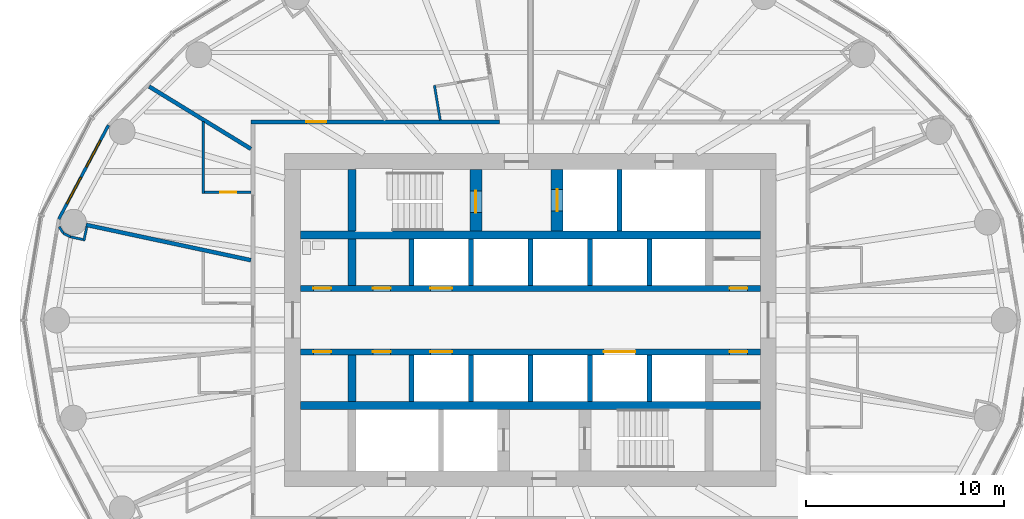
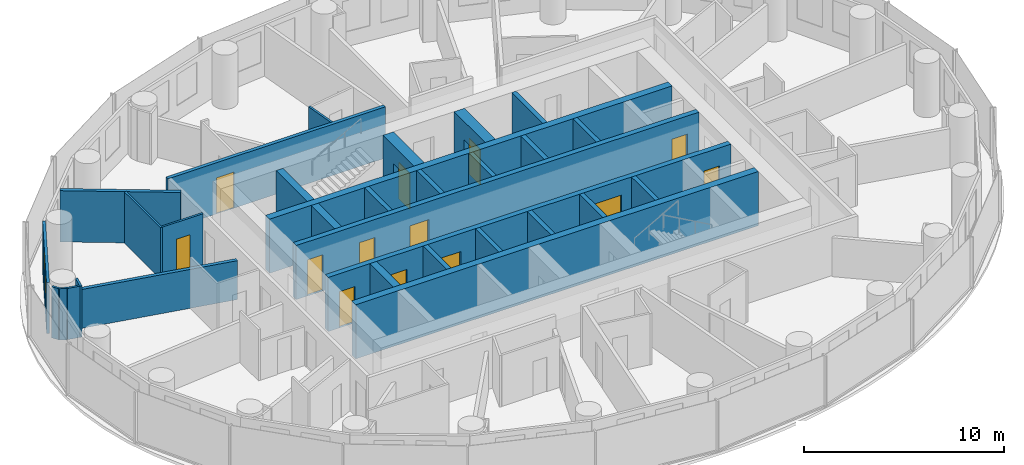
# One storey, part 8 of 14: 31 walls, 13 doors, 2 windows, 15 openings.
"""IFC4 building model written with IfcOpenShell, lengths in metres."""

from ifc_helpers import new_model, si_unit, direction, frame, frame_2d, origin, place, context, subcontext, project, spatial, rectangle, extrude, material, layer, layer_set, type_object, element, fill, save


model = new_model("IFC4")

# Units and contexts
model_context = context("Model", 3, precision=1e-05, world=origin(), true_north=direction((0.0, 1.0)))
body_context = subcontext(model_context, "Body", "Model", "MODEL_VIEW")
ifc_project = project(units=[si_unit("LENGTHUNIT", "METRE"), si_unit("AREAUNIT", "SQUARE_METRE"), si_unit("VOLUMEUNIT", "CUBIC_METRE"), si_unit("PLANEANGLEUNIT", "RADIAN"), si_unit("MASSUNIT", "GRAM", prefix="KILO")], contexts=[model_context])

# Site, building, storey
site_placement = place(None, origin())
site = spatial("IfcSite", under=ifc_project, at=site_placement, CompositionType="ELEMENT")
building_placement = place(site_placement, origin())
building = spatial("IfcBuilding", under=site, at=building_placement, Name="Hankou Lantern Tower", CompositionType="ELEMENT")
storey_placement = place(building_placement, frame((0.0, 0.0, 115.5)))
storey = spatial("IfcBuildingStorey", under=building, at=storey_placement, Name="L29", CompositionType="ELEMENT", Elevation=115.5)

# Walls
ifc_material_1 = material(Name="Concrete C60", Category="concrete")
ifc_layer_1 = layer(ifc_material_1, 0.39990234375)
ifc_layer_set_1 = layer_set([ifc_layer_1], Name="Concrete C60")
wall_type_1 = type_object("IfcWallType", Name="CW4 CORE CROSS WALL 400", PredefinedType="SHEAR", material=ifc_layer_set_1)
for number, where, z_axis, x_axis, name in (
    (1, (-11.60009765625, 4.300048828125, 0.0), (0.0, 0.0, 1.0), (1.0, 0.0, 0.0), "Core band wall north L29"),
    (2, (-11.60009765625, -4.300048828125, 0.0), (0.0, 0.0, 1.0), (1.0, 0.0, 0.0), "Core band wall south L29"),
):
    element("IfcWall", number, at=place(storey_placement, frame(where, z_axis=z_axis, x_axis=x_axis)), inside=storey, type_object=wall_type_1, Name=name, PredefinedType="SHEAR", context=body_context, shape_type="SweptSolid", body=[
        extrude(rectangle(XDim=23.2001953125, YDim=0.39990234375, at=frame_2d((11.60009765625, 0.0))), origin(), (0.0, 0.0, 1.0), 3.300048828125),
    ])
wall_1_placement = place(storey_placement, frame((-9.0, 4.5, 0.0), z_axis=(0.0, 0.0, 1.0), x_axis=(0.0, 1.0, 0.0)))
element("IfcWall", 3, at=wall_1_placement, inside=storey, type_object=wall_type_1, Name="Core strip wall L29", PredefinedType="SHEAR", context=body_context, shape_type="SweptSolid", body=[
    extrude(rectangle(XDim=3.10009765625, YDim=0.39990234375, at=frame_2d((1.550048828125, 0.0))), origin(), (0.0, 0.0, 1.0), 3.300048828125),
])
for number, where, z_axis, x_axis, name in (
    (4, (-9.0, 1.75, 0.0), (0.0, 0.0, 1.0), (0.0, 1.0, 0.0), "Core strip wall L29"),
    (5, (-9.0, -4.10009765625, 0.0), (0.0, 0.0, 1.0), (0.0, 1.0, 0.0), "Core strip wall L29"),
):
    element("IfcWall", number, at=place(storey_placement, frame(where, z_axis=z_axis, x_axis=x_axis)), inside=storey, type_object=wall_type_1, Name=name, PredefinedType="SHEAR", context=body_context, shape_type="SweptSolid", body=[
        extrude(rectangle(XDim=2.35009765625, YDim=0.39990234375, at=frame_2d((1.175048828125, 0.0))), origin(), (0.0, 0.0, 1.0), 3.300048828125),
    ])

# Wall, openings, doors
ifc_material_2 = material(Name="Concrete C60", Category="concrete")
ifc_layer_2 = layer(ifc_material_2, 0.300048828125)
ifc_layer_set_2 = layer_set([ifc_layer_2], Name="Concrete C60")
wall_type_2 = type_object("IfcWallType", Name="CW5 LIFT LOBBY WALL 300", PredefinedType="SHEAR", material=ifc_layer_set_2)
wall_2_placement = place(storey_placement, frame((-11.60009765625, 1.60009765625, 0.0), z_axis=(0.0, 0.0, 1.0), x_axis=(1.0, 0.0, 0.0)))
wall_2 = element("IfcWall", 6, at=wall_2_placement, inside=storey, type_object=wall_type_2, Name="Lift lobby wall north L29", PredefinedType="SHEAR", context=body_context, shape_type="SweptSolid", body=[
    extrude(rectangle(XDim=23.2001953125, YDim=0.300048828125, at=frame_2d((11.60009765625, 0.0))), origin(), (0.0, 0.0, 1.0), 3.300048828125),
])
opening_1_placement = place(wall_2_placement, frame((6.550048828125, 0.0, 0.0)))
opening_1 = element("IfcOpeningElement", 7, at=opening_1_placement, cuts=wall_2, Name="Opening LD1", PredefinedType="OPENING", context=body_context, shape_type="SweptSolid", body=[
    extrude(rectangle(XDim=1.10009765625, YDim=2.199951171875, at=frame_2d((0.550048828125, 1.10009765625))), frame((0.0, 0.159912109375, 0.0), z_axis=(0.0, -1.0, 0.0), x_axis=(1.0, 0.0, 0.0)), (0.0, 0.0, 1.0), 0.320068359375),
])
opening_2_placement = place(wall_2_placement, frame((0.64990234375, 0.0, 0.0)))
opening_2 = element("IfcOpeningElement", 8, at=opening_2_placement, cuts=wall_2, Name="Opening D30", PredefinedType="OPENING", context=body_context, shape_type="SweptSolid", body=[
    extrude(rectangle(XDim=0.89990234375, YDim=2.199951171875, at=frame_2d((0.449951171875, 1.10009765625))), frame((0.0, 0.159912109375, 0.0), z_axis=(0.0, -1.0, 0.0), x_axis=(1.0, 0.0, 0.0)), (0.0, 0.0, 1.0), 0.320068359375),
])
opening_3_placement = place(wall_2_placement, frame((3.64990234375, 0.0, 0.0)))
opening_3 = element("IfcOpeningElement", 9, at=opening_3_placement, cuts=wall_2, Name="Opening D30", PredefinedType="OPENING", context=body_context, shape_type="SweptSolid", body=[
    extrude(rectangle(XDim=0.89990234375, YDim=2.199951171875, at=frame_2d((0.449951171875, 1.10009765625))), frame((0.0, 0.159912109375, 0.0), z_axis=(0.0, -1.0, 0.0), x_axis=(1.0, 0.0, 0.0)), (0.0, 0.0, 1.0), 0.320068359375),
])
opening_4_placement = place(wall_2_placement, frame((21.64990234375, 0.0, 0.0)))
opening_4 = element("IfcOpeningElement", 10, at=opening_4_placement, cuts=wall_2, Name="Opening D30", PredefinedType="OPENING", context=body_context, shape_type="SweptSolid", body=[
    extrude(rectangle(XDim=0.89990234375, YDim=2.199951171875, at=frame_2d((0.449951171875, 1.10009765625))), frame((0.0, 0.159912109375, 0.0), z_axis=(0.0, -1.0, 0.0), x_axis=(1.0, 0.0, 0.0)), (0.0, 0.0, 1.0), 0.320068359375),
])
ifc_material_3 = material(Name="Steel door leaf", Category="steel")
door_type_1 = type_object("IfcDoorType", Name="D30 CORE ROOM DOOR 900X2200", OperationType="SINGLE_SWING_LEFT", PredefinedType="DOOR", material=ifc_material_3)
door_1_placement = place(opening_2_placement, origin())
door_1 = element("IfcDoor", 11, at=door_1_placement, inside=storey, type_object=door_type_1, Name="Accessible staff WC door", OperationType="SINGLE_SWING_LEFT", OverallHeight=2.199951171875, OverallWidth=0.89990234375, PredefinedType="DOOR", context=body_context, shape_type="SweptSolid", body=[
    extrude(rectangle(XDim=0.89990234375, YDim=2.199951171875, at=frame_2d((0.449951171875, 1.10009765625))), frame((0.0, 0.02490234375, 0.0), z_axis=(0.0, -1.0, 0.0), x_axis=(1.0, 0.0, 0.0)), (0.0, 0.0, 1.0), 0.050048828125),
])
fill(opening_2, door_1)
door_2_placement = place(opening_3_placement, origin())
door_2 = element("IfcDoor", 12, at=door_2_placement, inside=storey, type_object=door_type_1, Name="Staff locker room door", OperationType="SINGLE_SWING_LEFT", OverallHeight=2.199951171875, OverallWidth=0.89990234375, PredefinedType="DOOR", context=body_context, shape_type="SweptSolid", body=[
    extrude(rectangle(XDim=0.89990234375, YDim=2.199951171875, at=frame_2d((0.449951171875, 1.10009765625))), frame((0.0, 0.02490234375, 0.0), z_axis=(0.0, -1.0, 0.0), x_axis=(1.0, 0.0, 0.0)), (0.0, 0.0, 1.0), 0.050048828125),
])
fill(opening_3, door_2)
door_3_placement = place(opening_4_placement, origin())
door_3 = element("IfcDoor", 13, at=door_3_placement, inside=storey, type_object=door_type_1, Name="IT and telecoms room door", OperationType="SINGLE_SWING_RIGHT", OverallHeight=2.199951171875, OverallWidth=0.89990234375, PredefinedType="DOOR", context=body_context, shape_type="SweptSolid", body=[
    extrude(rectangle(XDim=0.89990234375, YDim=2.199951171875, at=frame_2d((0.449951171875, 1.10009765625))), frame((0.0, 0.02490234375, 0.0), z_axis=(0.0, -1.0, 0.0), x_axis=(1.0, 0.0, 0.0)), (0.0, 0.0, 1.0), 0.050048828125),
])
fill(opening_4, door_3)
ifc_material_4 = material(Name="Steel door leaf", Category="steel")
door_type_2 = type_object("IfcDoorType", Name="LD1 LIFT LANDING DOOR 1100X2200", OperationType="DOUBLE_DOOR_SLIDING", PredefinedType="DOOR", material=ifc_material_4)
door_4_placement = place(opening_1_placement, origin())
door_4 = element("IfcDoor", 14, at=door_4_placement, inside=storey, type_object=door_type_2, Name="Lift M1 landing door", OperationType="DOUBLE_DOOR_SLIDING", OverallHeight=2.199951171875, OverallWidth=1.10009765625, PredefinedType="DOOR", context=body_context, shape_type="SweptSolid", body=[
    extrude(rectangle(XDim=1.10009765625, YDim=2.199951171875, at=frame_2d((0.550048828125, 1.10009765625))), frame((0.0, 0.02490234375, 0.0), z_axis=(0.0, -1.0, 0.0), x_axis=(1.0, 0.0, 0.0)), (0.0, 0.0, 1.0), 0.050048828125),
])
fill(opening_1, door_4)

wall_3_placement = place(storey_placement, frame((-11.60009765625, -1.60009765625, 0.0), z_axis=(0.0, 0.0, 1.0), x_axis=(1.0, 0.0, 0.0)))
wall_3 = element("IfcWall", 15, at=wall_3_placement, inside=storey, type_object=wall_type_2, Name="Lift lobby wall south L29", PredefinedType="SHEAR", context=body_context, shape_type="SweptSolid", body=[
    extrude(rectangle(XDim=23.2001953125, YDim=0.300048828125, at=frame_2d((11.60009765625, 0.0))), origin(), (0.0, 0.0, 1.0), 3.300048828125),
])
opening_5_placement = place(wall_3_placement, frame((6.550048828125, 0.0, 0.0)))
opening_5 = element("IfcOpeningElement", 16, at=opening_5_placement, cuts=wall_3, Name="Opening LD1", PredefinedType="OPENING", context=body_context, shape_type="SweptSolid", body=[
    extrude(rectangle(XDim=1.10009765625, YDim=2.199951171875, at=frame_2d((0.550048828125, 1.10009765625))), frame((0.0, 0.159912109375, 0.0), z_axis=(0.0, -1.0, 0.0), x_axis=(1.0, 0.0, 0.0)), (0.0, 0.0, 1.0), 0.320068359375),
])
opening_6_placement = place(wall_3_placement, frame((15.300048828125, 0.0, 0.0)))
opening_6 = element("IfcOpeningElement", 17, at=opening_6_placement, cuts=wall_3, Name="Opening LD4", PredefinedType="OPENING", context=body_context, shape_type="SweptSolid", body=[
    extrude(rectangle(XDim=1.60009765625, YDim=2.39990234375, at=frame_2d((0.800048828125, 1.199951171875))), frame((0.0, 0.159912109375, 0.0), z_axis=(0.0, -1.0, 0.0), x_axis=(1.0, 0.0, 0.0)), (0.0, 0.0, 1.0), 0.320068359375),
])
opening_7_placement = place(wall_3_placement, frame((0.64990234375, 0.0, 0.0)))
opening_7 = element("IfcOpeningElement", 18, at=opening_7_placement, cuts=wall_3, Name="Opening D30", PredefinedType="OPENING", context=body_context, shape_type="SweptSolid", body=[
    extrude(rectangle(XDim=0.89990234375, YDim=2.199951171875, at=frame_2d((0.449951171875, 1.10009765625))), frame((0.0, 0.159912109375, 0.0), z_axis=(0.0, -1.0, 0.0), x_axis=(1.0, 0.0, 0.0)), (0.0, 0.0, 1.0), 0.320068359375),
])
opening_8_placement = place(wall_3_placement, frame((3.64990234375, 0.0, 0.0)))
opening_8 = element("IfcOpeningElement", 19, at=opening_8_placement, cuts=wall_3, Name="Opening D30", PredefinedType="OPENING", context=body_context, shape_type="SweptSolid", body=[
    extrude(rectangle(XDim=0.89990234375, YDim=2.199951171875, at=frame_2d((0.449951171875, 1.10009765625))), frame((0.0, 0.159912109375, 0.0), z_axis=(0.0, -1.0, 0.0), x_axis=(1.0, 0.0, 0.0)), (0.0, 0.0, 1.0), 0.320068359375),
])
opening_9_placement = place(wall_3_placement, frame((21.64990234375, 0.0, 0.0)))
opening_9 = element("IfcOpeningElement", 20, at=opening_9_placement, cuts=wall_3, Name="Opening D30", PredefinedType="OPENING", context=body_context, shape_type="SweptSolid", body=[
    extrude(rectangle(XDim=0.89990234375, YDim=2.199951171875, at=frame_2d((0.449951171875, 1.10009765625))), frame((0.0, 0.159912109375, 0.0), z_axis=(0.0, -1.0, 0.0), x_axis=(1.0, 0.0, 0.0)), (0.0, 0.0, 1.0), 0.320068359375),
])
door_5_placement = place(opening_7_placement, origin())
door_5 = element("IfcDoor", 21, at=door_5_placement, inside=storey, type_object=door_type_1, Name="Engineering store door", OperationType="SINGLE_SWING_LEFT", OverallHeight=2.199951171875, OverallWidth=0.89990234375, PredefinedType="DOOR", context=body_context, shape_type="SweptSolid", body=[
    extrude(rectangle(XDim=0.89990234375, YDim=2.199951171875, at=frame_2d((0.449951171875, 1.10009765625))), frame((0.0, 0.02490234375, 0.0), z_axis=(0.0, -1.0, 0.0), x_axis=(1.0, 0.0, 0.0)), (0.0, 0.0, 1.0), 0.050048828125),
])
fill(opening_7, door_5)
door_6_placement = place(opening_8_placement, origin())
door_6 = element("IfcDoor", 22, at=door_6_placement, inside=storey, type_object=door_type_1, Name="Housekeeping and linen store door", OperationType="SINGLE_SWING_LEFT", OverallHeight=2.199951171875, OverallWidth=0.89990234375, PredefinedType="DOOR", context=body_context, shape_type="SweptSolid", body=[
    extrude(rectangle(XDim=0.89990234375, YDim=2.199951171875, at=frame_2d((0.449951171875, 1.10009765625))), frame((0.0, 0.02490234375, 0.0), z_axis=(0.0, -1.0, 0.0), x_axis=(1.0, 0.0, 0.0)), (0.0, 0.0, 1.0), 0.050048828125),
])
fill(opening_8, door_6)
door_7_placement = place(opening_9_placement, origin())
door_7 = element("IfcDoor", 23, at=door_7_placement, inside=storey, type_object=door_type_1, Name="Minibar store door", OperationType="SINGLE_SWING_RIGHT", OverallHeight=2.199951171875, OverallWidth=0.89990234375, PredefinedType="DOOR", context=body_context, shape_type="SweptSolid", body=[
    extrude(rectangle(XDim=0.89990234375, YDim=2.199951171875, at=frame_2d((0.449951171875, 1.10009765625))), frame((0.0, 0.02490234375, 0.0), z_axis=(0.0, -1.0, 0.0), x_axis=(1.0, 0.0, 0.0)), (0.0, 0.0, 1.0), 0.050048828125),
])
fill(opening_9, door_7)
door_8_placement = place(opening_5_placement, origin())
door_8 = element("IfcDoor", 24, at=door_8_placement, inside=storey, type_object=door_type_2, Name="Lift M2 landing door", OperationType="DOUBLE_DOOR_SLIDING", OverallHeight=2.199951171875, OverallWidth=1.10009765625, PredefinedType="DOOR", context=body_context, shape_type="SweptSolid", body=[
    extrude(rectangle(XDim=1.10009765625, YDim=2.199951171875, at=frame_2d((0.550048828125, 1.10009765625))), frame((0.0, 0.02490234375, 0.0), z_axis=(0.0, -1.0, 0.0), x_axis=(1.0, 0.0, 0.0)), (0.0, 0.0, 1.0), 0.050048828125),
])
fill(opening_5, door_8)
ifc_material_5 = material(Name="Steel door leaf", Category="steel")
door_type_3 = type_object("IfcDoorType", Name="LD4 SERVICE LIFT LANDING DOOR 1600X2400", OperationType="DOUBLE_DOOR_SLIDING", PredefinedType="DOOR", material=ifc_material_5)
door_9_placement = place(opening_6_placement, origin())
door_9 = element("IfcDoor", 25, at=door_9_placement, inside=storey, type_object=door_type_3, Name="Lift SV1 landing door", OperationType="DOUBLE_DOOR_SLIDING", OverallHeight=2.39990234375, OverallWidth=1.60009765625, PredefinedType="DOOR", context=body_context, shape_type="SweptSolid", body=[
    extrude(rectangle(XDim=1.60009765625, YDim=2.39990234375, at=frame_2d((0.800048828125, 1.199951171875))), frame((0.0, 0.02490234375, 0.0), z_axis=(0.0, -1.0, 0.0), x_axis=(1.0, 0.0, 0.0)), (0.0, 0.0, 1.0), 0.050048828125),
])
fill(opening_6, door_9)

# Wall, opening, door
ifc_material_6 = material(Name="Concrete C60", Category="concrete")
ifc_layer_3 = layer(ifc_material_6, 0.60009765625)
ifc_layer_set_3 = layer_set([ifc_layer_3], Name="Concrete C60")
wall_type_3 = type_object("IfcWallType", Name="CW6 STAIR AND SHAFT WALL 600", PredefinedType="SHEAR", material=ifc_layer_set_3)
wall_4_placement = place(storey_placement, frame((-2.75, 4.5, 0.0), z_axis=(0.0, 0.0, 1.0), x_axis=(0.0, 1.0, 0.0)))
wall_4 = element("IfcWall", 26, at=wall_4_placement, inside=storey, type_object=wall_type_3, Name="Stair wall L29", PredefinedType="SHEAR", context=body_context, shape_type="SweptSolid", body=[
    extrude(rectangle(XDim=3.10009765625, YDim=0.60009765625, at=frame_2d((1.550048828125, 0.0))), origin(), (0.0, 0.0, 1.0), 3.300048828125),
])
opening_10_placement = place(wall_4_placement, frame((0.925048828125, 0.0, 0.0)))
opening_10 = element("IfcOpeningElement", 27, at=opening_10_placement, cuts=wall_4, Name="Opening D4", PredefinedType="OPENING", context=body_context, shape_type="SweptSolid", body=[
    extrude(rectangle(XDim=1.10009765625, YDim=2.199951171875, at=frame_2d((0.550048828125, 1.10009765625))), frame((0.0, 0.31005859375, 0.0), z_axis=(0.0, -1.0, 0.0), x_axis=(1.0, 0.0, 0.0)), (0.0, 0.0, 1.0), 0.6201171875),
])
ifc_material_7 = material(Name="Steel door leaf", Category="steel")
door_type_4 = type_object("IfcDoorType", Name="D4 STAIR DOOR 1100X2200", OperationType="SINGLE_SWING_LEFT", PredefinedType="DOOR", material=ifc_material_7)
door_10_placement = place(opening_10_placement, origin())
door_10 = element("IfcDoor", 28, at=door_10_placement, inside=storey, type_object=door_type_4, Name="Stair A door", OperationType="SINGLE_SWING_LEFT", OverallHeight=2.199951171875, OverallWidth=1.10009765625, PredefinedType="DOOR", context=body_context, shape_type="SweptSolid", body=[
    extrude(rectangle(XDim=1.10009765625, YDim=2.199951171875, at=frame_2d((0.550048828125, 1.10009765625))), frame((0.0, 0.02490234375, 0.0), z_axis=(0.0, -1.0, 0.0), x_axis=(1.0, 0.0, 0.0)), (0.0, 0.0, 1.0), 0.050048828125),
])
fill(opening_10, door_10)

wall_5_placement = place(storey_placement, frame((1.35009765625, 4.5, 0.0), z_axis=(0.0, 0.0, 1.0), x_axis=(0.0, 1.0, 0.0)))
wall_5 = element("IfcWall", 29, at=wall_5_placement, inside=storey, type_object=wall_type_3, Name="Firefighting lift shaft wall L29", PredefinedType="SHEAR", context=body_context, shape_type="SweptSolid", body=[
    extrude(rectangle(XDim=3.10009765625, YDim=0.60009765625, at=frame_2d((1.550048828125, 0.0))), origin(), (0.0, 0.0, 1.0), 3.300048828125),
])
opening_11_placement = place(wall_5_placement, frame((1.0, 0.0, 0.0)))
opening_11 = element("IfcOpeningElement", 30, at=opening_11_placement, cuts=wall_5, Name="Opening LD2", PredefinedType="OPENING", context=body_context, shape_type="SweptSolid", body=[
    extrude(rectangle(XDim=1.10009765625, YDim=2.199951171875, at=frame_2d((0.550048828125, 1.10009765625))), frame((0.0, 0.31005859375, 0.0), z_axis=(0.0, -1.0, 0.0), x_axis=(1.0, 0.0, 0.0)), (0.0, 0.0, 1.0), 0.6201171875),
])
ifc_material_8 = material(Name="Steel door leaf", Category="steel")
door_type_5 = type_object("IfcDoorType", Name="LD2 FIREFIGHTING LIFT LANDING DOOR 1100X2200", OperationType="DOUBLE_DOOR_SLIDING", PredefinedType="DOOR", material=ifc_material_8)
door_11_placement = place(opening_11_placement, origin())
door_11 = element("IfcDoor", 31, at=door_11_placement, inside=storey, type_object=door_type_5, Name="Firefighting lift FL1 landing door", OperationType="DOUBLE_DOOR_SLIDING", OverallHeight=2.199951171875, OverallWidth=1.10009765625, PredefinedType="DOOR", context=body_context, shape_type="SweptSolid", body=[
    extrude(rectangle(XDim=1.10009765625, YDim=2.199951171875, at=frame_2d((0.550048828125, 1.10009765625))), frame((0.0, 0.02490234375, 0.0), z_axis=(0.0, -1.0, 0.0), x_axis=(1.0, 0.0, 0.0)), (0.0, 0.0, 1.0), 0.050048828125),
])
fill(opening_11, door_11)

# Wall, openings, windows
ifc_material_9 = material(Name="Aluminium spandrel panel on steel studs", Category="steel")
ifc_layer_4 = layer(ifc_material_9, 0.14990234375)
ifc_layer_set_4 = layer_set([ifc_layer_4], Name="Aluminium spandrel panel on steel studs")
wall_type_4 = type_object("IfcWallType", Name="EW1 INNER SKIN WALL 150", PredefinedType="ELEMENTEDWALL", material=ifc_layer_set_4)
wall_6_placement = place(storey_placement, frame((-21.287353515625, 9.83203125, 0.0), z_axis=(0.0, 0.0, 1.0), x_axis=(-0.467814388454, -0.883826735257, 0.0)))
wall_6 = element("IfcWall", 32, at=wall_6_placement, inside=storey, type_object=wall_type_4, Name="Inner skin R11-R12 L29", PredefinedType="ELEMENTEDWALL", context=body_context, shape_type="SweptSolid", body=[
    extrude(rectangle(XDim=5.35400390625, YDim=0.14990234375, at=frame_2d((2.677001953125, 0.0))), origin(), (0.0, 0.0, 1.0), 3.1201171875),
])
opening_12_placement = place(wall_6_placement, frame((0.876953125, 0.0, 0.89990234375)))
opening_12 = element("IfcOpeningElement", 33, at=opening_12_placement, cuts=wall_6, Name="Opening W2", PredefinedType="OPENING", context=body_context, shape_type="SweptSolid", body=[
    extrude(rectangle(XDim=1.5, YDim=1.89990234375, at=frame_2d((0.75, 0.949951171875))), frame((0.0, 0.0849609375, 0.0), z_axis=(0.0, -1.0, 0.0), x_axis=(1.0, 0.0, 0.0)), (0.0, 0.0, 1.0), 0.169921875),
])
opening_13_placement = place(wall_6_placement, frame((2.97705078125, 0.0, 0.89990234375)))
opening_13 = element("IfcOpeningElement", 34, at=opening_13_placement, cuts=wall_6, Name="Opening W2", PredefinedType="OPENING", context=body_context, shape_type="SweptSolid", body=[
    extrude(rectangle(XDim=1.5, YDim=1.89990234375, at=frame_2d((0.75, 0.949951171875))), frame((0.0, 0.0849609375, 0.0), z_axis=(0.0, -1.0, 0.0), x_axis=(1.0, 0.0, 0.0)), (0.0, 0.0, 1.0), 0.169921875),
])
ifc_material_10 = material(Name="Aluminium framed double glazed window", Category="aluminium")
window_type = type_object("IfcWindowType", Name="W2 GUEST ROOM WINDOW 1500X1900", PartitioningType="DOUBLE_PANEL_VERTICAL", PredefinedType="WINDOW", material=ifc_material_10)
window_1_placement = place(opening_12_placement, origin())
window_1 = element("IfcWindow", 35, at=window_1_placement, inside=storey, type_object=window_type, Name="Window R11.1 L29", OverallHeight=1.89990234375, OverallWidth=1.5, PartitioningType="SINGLE_PANEL", PredefinedType="WINDOW", context=body_context, shape_type="SweptSolid", body=[
    extrude(rectangle(XDim=1.5, YDim=1.89990234375, at=frame_2d((0.75, 0.949951171875))), frame((0.0, 0.030029296875, 0.0), z_axis=(0.0, -1.0, 0.0), x_axis=(1.0, 0.0, 0.0)), (0.0, 0.0, 1.0), 0.06005859375),
])
fill(opening_12, window_1)
window_2_placement = place(opening_13_placement, origin())
window_2 = element("IfcWindow", 36, at=window_2_placement, inside=storey, type_object=window_type, Name="Window R11.2 L29", OverallHeight=1.89990234375, OverallWidth=1.5, PartitioningType="SINGLE_PANEL", PredefinedType="WINDOW", context=body_context, shape_type="SweptSolid", body=[
    extrude(rectangle(XDim=1.5, YDim=1.89990234375, at=frame_2d((0.75, 0.949951171875))), frame((0.0, 0.030029296875, 0.0), z_axis=(0.0, -1.0, 0.0), x_axis=(1.0, 0.0, 0.0)), (0.0, 0.0, 1.0), 0.06005859375),
])
fill(opening_13, window_2)

# Walls
ifc_material_11 = material(Name="Masonry lightweight concrete block", Category="masonry")
ifc_layer_5 = layer(ifc_material_11, 0.199951171875)
ifc_layer_set_5 = layer_set([ifc_layer_5], Name="Masonry lightweight concrete block")
wall_type_5 = type_object("IfcWallType", Name="IW1 GUEST ROOM PARTY WALL 200", PredefinedType="PARTITIONING", material=ifc_layer_set_5)
wall_7_placement = place(storey_placement, frame((-14.10009765625, 8.6376953125, 0.0), z_axis=(0.0, 0.0, 1.0), x_axis=(-0.852706758009, 0.5223898782, 0.0)))
element("IfcWall", 37, at=wall_7_placement, inside=storey, type_object=wall_type_5, Name="Party wall R10-R11", PredefinedType="PARTITIONING", context=body_context, shape_type="SweptSolid", body=[
    extrude(rectangle(XDim=6.0185546875, YDim=0.199951171875, at=frame_2d((3.00927734375, 0.0))), origin(), (0.0, 0.0, 1.0), 3.1201171875),
])
wall_8_placement = place(storey_placement, frame((-14.10009765625, 3.0224609375, 0.0), z_axis=(0.0, 0.0, 1.0), x_axis=(-0.977783513367, 0.209617272638, 0.0)))
element("IfcWall", 38, at=wall_8_placement, inside=storey, type_object=wall_type_5, Name="Party wall R12", PredefinedType="PARTITIONING", context=body_context, shape_type="SweptSolid", body=[
    extrude(rectangle(XDim=8.508056640625, YDim=0.199951171875, at=frame_2d((4.25390625, 0.0))), origin(), (0.0, 0.0, 1.0), 2.3701171875),
])

# Wall, opening, door
ifc_material_12 = material(Name="Masonry lightweight concrete block", Category="masonry")
ifc_layer_6 = layer(ifc_material_12, 0.199951171875)
ifc_layer_set_6 = layer_set([ifc_layer_6], Name="Masonry lightweight concrete block")
wall_type_6 = type_object("IfcWallType", Name="IW2 CORRIDOR WALL 200", PredefinedType="PARTITIONING", material=ifc_layer_set_6)
wall_9_placement = place(storey_placement, frame((-14.10009765625, 10.0, 0.0), z_axis=(0.0, 0.0, 1.0), x_axis=(1.0, 0.0, 0.0)))
wall_9 = element("IfcWall", 39, at=wall_9_placement, inside=storey, type_object=wall_type_6, Name="Corridor wall north", PredefinedType="PARTITIONING", context=body_context, shape_type="SweptSolid", body=[
    extrude(rectangle(XDim=12.534912109375, YDim=0.199951171875, at=frame_2d((6.267578125, 0.0))), origin(), (0.0, 0.0, 1.0), 3.1201171875),
])
opening_14_placement = place(wall_9_placement, frame((2.801025390625, 0.0, 0.0)))
opening_14 = element("IfcOpeningElement", 40, at=opening_14_placement, cuts=wall_9, Name="Opening D1", PredefinedType="OPENING", context=body_context, shape_type="SweptSolid", body=[
    extrude(rectangle(XDim=1.0, YDim=2.199951171875, at=frame_2d((0.5, 1.10009765625))), frame((0.0, 0.10986328125, 0.0), z_axis=(0.0, -1.0, 0.0), x_axis=(1.0, 0.0, 0.0)), (0.0, 0.0, 1.0), 0.219970703125),
])
ifc_material_13 = material(Name="Steel door leaf", Category="steel")
door_type_6 = type_object("IfcDoorType", Name="D1 GUEST ROOM DOOR 1000X2200", OperationType="SINGLE_SWING_LEFT", PredefinedType="DOOR", material=ifc_material_13)
door_12_placement = place(opening_14_placement, origin())
door_12 = element("IfcDoor", 41, at=door_12_placement, inside=storey, type_object=door_type_6, Name="Guest room door 2905", OperationType="SINGLE_SWING_RIGHT", OverallHeight=2.199951171875, OverallWidth=1.0, PredefinedType="DOOR", context=body_context, shape_type="SweptSolid", body=[
    extrude(rectangle(XDim=1.0, YDim=2.199951171875, at=frame_2d((0.5, 1.10009765625))), frame((0.0, 0.02490234375, 0.0), z_axis=(0.0, -1.0, 0.0), x_axis=(1.0, 0.0, 0.0)), (0.0, 0.0, 1.0), 0.050048828125),
])
fill(opening_14, door_12)

# Walls
ifc_material_14 = material(Name="Masonry lightweight concrete block", Category="masonry")
ifc_layer_7 = layer(ifc_material_14, 0.1201171875)
ifc_layer_set_7 = layer_set([ifc_layer_7], Name="Masonry lightweight concrete block")
wall_type_7 = type_object("IfcWallType", Name="IW3 BATHROOM WALL 120", PredefinedType="PARTITIONING", material=ifc_layer_set_7)
wall_10_placement = place(storey_placement, frame((-4.551025390625, 10.083740234375, 0.0), z_axis=(0.0, 0.0, 1.0), x_axis=(-0.162625830583, 0.986687812445, 0.0)))
element("IfcWall", 42, at=wall_10_placement, inside=storey, type_object=wall_type_7, Name="Box wall 2904 1", PredefinedType="PARTITIONING", context=body_context, shape_type="SweptSolid", body=[
    extrude(rectangle(XDim=1.786376953125, YDim=0.1201171875, at=frame_2d((0.89306640625, 0.0))), origin(), (0.0, 0.0, 1.0), 3.1201171875),
])
wall_11_placement = place(storey_placement, frame((-16.5, 10.008056640625, 0.0), z_axis=(0.0, 0.0, 1.0), x_axis=(0.0, -1.0, 0.0)))
element("IfcWall", 43, at=wall_11_placement, inside=storey, type_object=wall_type_7, Name="Box wall 2906 1", PredefinedType="PARTITIONING", context=body_context, shape_type="SweptSolid", body=[
    extrude(rectangle(XDim=3.6103515625, YDim=0.1201171875, at=frame_2d((1.80517578125, 0.0))), origin(), (0.0, 0.0, 1.0), 3.1201171875),
])

# Wall, opening, door
wall_12_placement = place(storey_placement, frame((-14.10009765625, 6.457763671875, 0.0), z_axis=(0.0, 0.0, 1.0), x_axis=(-1.0, 0.0, 0.0)))
wall_12 = element("IfcWall", 44, at=wall_12_placement, inside=storey, type_object=wall_type_7, Name="Box wall 2906 1", PredefinedType="PARTITIONING", context=body_context, shape_type="SweptSolid", body=[
    extrude(rectangle(XDim=2.33984375, YDim=0.1201171875, at=frame_2d((1.169921875, 0.0))), origin(), (0.0, 0.0, 1.0), 3.1201171875),
])
opening_15_placement = place(wall_12_placement, frame((0.75, 0.0, 0.0)))
opening_15 = element("IfcOpeningElement", 45, at=opening_15_placement, cuts=wall_12, Name="Opening D3", PredefinedType="OPENING", context=body_context, shape_type="SweptSolid", body=[
    extrude(rectangle(XDim=0.800048828125, YDim=2.10009765625, at=frame_2d((0.39990234375, 1.050048828125))), frame((0.0, 0.070068359375, 0.0), z_axis=(0.0, -1.0, 0.0), x_axis=(1.0, 0.0, 0.0)), (0.0, 0.0, 1.0), 0.14013671875),
])
ifc_material_15 = material(Name="Timber door leaf", Category="wood")
door_type_7 = type_object("IfcDoorType", Name="D3 BATHROOM DOOR 800X2100", OperationType="SINGLE_SWING_LEFT", PredefinedType="DOOR", material=ifc_material_15)
door_13_placement = place(opening_15_placement, origin())
door_13 = element("IfcDoor", 46, at=door_13_placement, inside=storey, type_object=door_type_7, Name="En-suite bathroom 2906 door", OperationType="SINGLE_SWING_LEFT", OverallHeight=2.10009765625, OverallWidth=0.800048828125, PredefinedType="DOOR", context=body_context, shape_type="SweptSolid", body=[
    extrude(rectangle(XDim=0.800048828125, YDim=2.10009765625, at=frame_2d((0.39990234375, 1.050048828125))), frame((0.0, 0.02490234375, 0.0), z_axis=(0.0, -1.0, 0.0), x_axis=(1.0, 0.0, 0.0)), (0.0, 0.0, 1.0), 0.050048828125),
])
fill(opening_15, door_13)

# Walls
ifc_material_16 = material(Name="Masonry lightweight concrete block", Category="masonry")
ifc_layer_8 = layer(ifc_material_16, 0.1201171875)
ifc_layer_set_8 = layer_set([ifc_layer_8], Name="Masonry lightweight concrete block")
wall_type_8 = type_object("IfcWallType", Name="IW4 PARTITION 120", PredefinedType="PARTITIONING", material=ifc_layer_set_8)
wall_13_placement = place(storey_placement, frame((-22.381591796875, 4.6953125, 0.0), z_axis=(0.0, 0.0, 1.0), x_axis=(-0.209808658628, -0.977742464438, 0.0)))
element("IfcWall", 47, at=wall_13_placement, inside=storey, type_object=wall_type_8, Name="Column casing R12 return", PredefinedType="PARTITIONING", context=body_context, shape_type="SweptSolid", body=[
    extrude(rectangle(XDim=0.715576171875, YDim=0.1201171875, at=frame_2d((0.35791015625, 0.0))), origin(), (0.0, 0.0, 1.0), 3.1201171875),
])
wall_14_placement = place(storey_placement, frame((-22.57763671875, 4.06689453125, 0.0), z_axis=(0.0, 0.0, 1.0), x_axis=(-0.977802414077, 0.209529088731, 0.0)))
element("IfcWall", 48, at=wall_14_placement, inside=storey, type_object=wall_type_8, Name="Column casing R12", PredefinedType="PARTITIONING", context=body_context, shape_type="SweptSolid", body=[
    extrude(rectangle(XDim=0.650146484375, YDim=0.1201171875, at=frame_2d((0.3251953125, 0.0))), origin(), (0.0, 0.0, 1.0), 3.1201171875),
])
for number, where, z_axis, x_axis, name in (
    (49, (-23.21337890625, 4.203125, 0.0), (0.0, 0.0, 1.0), (-0.890142184171, 0.455682885305, 0.0), "Column casing R12"),
    (50, (-23.5615234375, 4.38134765625, 0.0), (0.0, 0.0, 1.0), (-0.543121848217, 0.839653891784, 0.0), "Column casing R12"),
):
    element("IfcWall", number, at=place(storey_placement, frame(where, z_axis=z_axis, x_axis=x_axis)), inside=storey, type_object=wall_type_8, Name=name, PredefinedType="PARTITIONING", context=body_context, shape_type="SweptSolid", body=[
        extrude(rectangle(XDim=0.39111328125, YDim=0.1201171875, at=frame_2d((0.195556640625, 0.0))), origin(), (0.0, 0.0, 1.0), 3.1201171875),
    ])
ifc_material_17 = material(Name="Masonry autoclaved aerated concrete block", Category="masonry")
ifc_layer_9 = layer(ifc_material_17, 0.25)
ifc_layer_set_9 = layer_set([ifc_layer_9], Name="Masonry autoclaved aerated concrete block")
wall_type_9 = type_object("IfcWallType", Name="SW1 SHAFT BLOCK WALL 250", PredefinedType="PARTITIONING", material=ifc_layer_set_9)
wall_15_placement = place(storey_placement, frame((4.5, 4.5, 0.0), z_axis=(0.0, 0.0, 1.0), x_axis=(0.0, 1.0, 0.0)))
element("IfcWall", 51, at=wall_15_placement, inside=storey, type_object=wall_type_9, Name="Riser wall L29", PredefinedType="PARTITIONING", context=body_context, shape_type="SweptSolid", body=[
    extrude(rectangle(XDim=3.10009765625, YDim=0.25, at=frame_2d((1.550048828125, 0.0))), origin(), (0.0, 0.0, 1.0), 3.300048828125),
])
for number, where, z_axis, x_axis, name in (
    (52, (-6.0, 1.75, 0.0), (0.0, 0.0, 1.0), (0.0, 1.0, 0.0), "Lift shaft wall L29"),
    (53, (-3.0, 1.75, 0.0), (0.0, 0.0, 1.0), (0.0, 1.0, 0.0), "Lift shaft wall L29"),
    (54, (0.0, 1.75, 0.0), (0.0, 0.0, 1.0), (0.0, 1.0, 0.0), "Lift shaft wall L29"),
    (55, (3.0, 1.75, 0.0), (0.0, 0.0, 1.0), (0.0, 1.0, 0.0), "Lift shaft wall L29"),
    (56, (6.0, 1.75, 0.0), (0.0, 0.0, 1.0), (0.0, 1.0, 0.0), "Lift shaft wall L29"),
    (57, (-6.0, -4.10009765625, 0.0), (0.0, 0.0, 1.0), (0.0, 1.0, 0.0), "Lift shaft wall L29"),
    (58, (-3.0, -4.10009765625, 0.0), (0.0, 0.0, 1.0), (0.0, 1.0, 0.0), "Lift shaft wall L29"),
    (59, (0.0, -4.10009765625, 0.0), (0.0, 0.0, 1.0), (0.0, 1.0, 0.0), "Lift shaft wall L29"),
    (60, (3.0, -4.10009765625, 0.0), (0.0, 0.0, 1.0), (0.0, 1.0, 0.0), "Lift shaft wall L29"),
    (61, (6.0, -4.10009765625, 0.0), (0.0, 0.0, 1.0), (0.0, 1.0, 0.0), "Lift shaft wall L29"),
):
    element("IfcWall", number, at=place(storey_placement, frame(where, z_axis=z_axis, x_axis=x_axis)), inside=storey, type_object=wall_type_9, Name=name, PredefinedType="PARTITIONING", context=body_context, shape_type="SweptSolid", body=[
        extrude(rectangle(XDim=2.35009765625, YDim=0.25, at=frame_2d((1.175048828125, 0.0))), origin(), (0.0, 0.0, 1.0), 3.300048828125),
    ])

save(model, "model.ifc")
